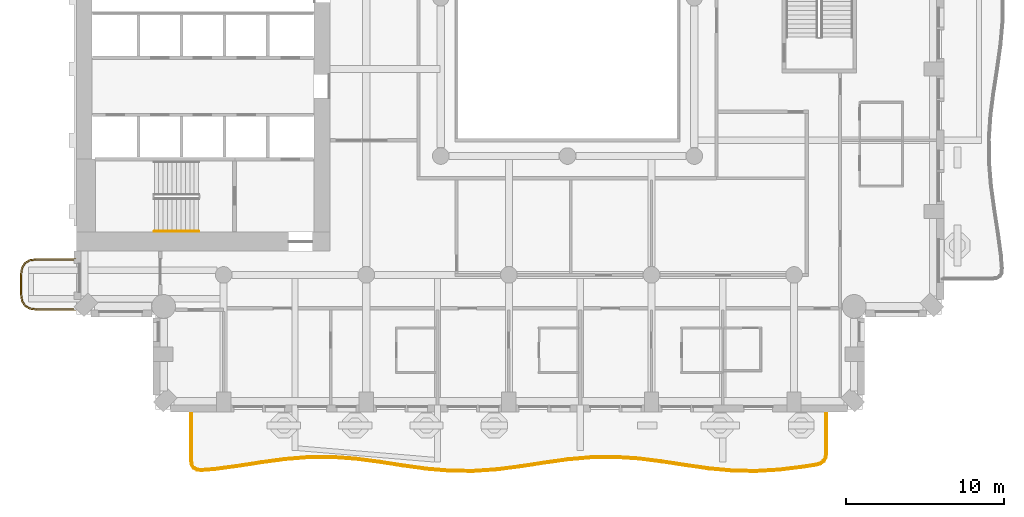
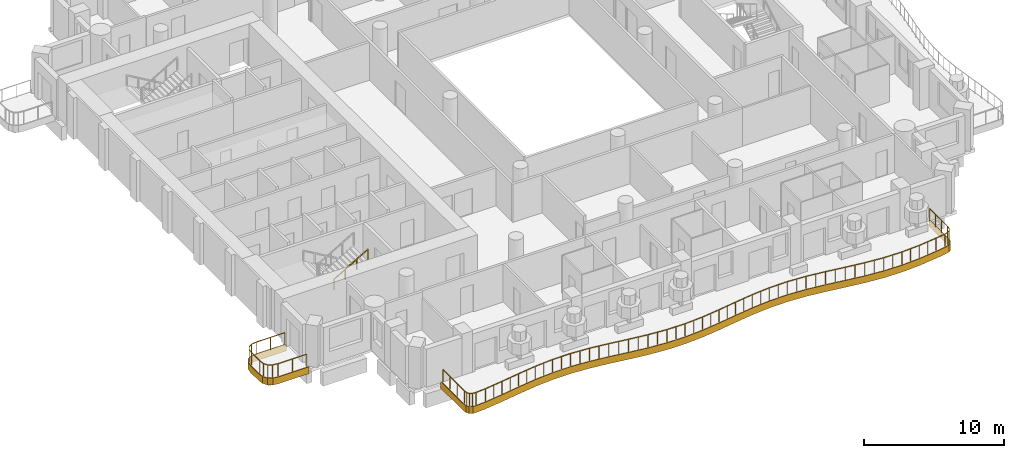
# One storey, part 12 of 19: 3 railings, 2 coverings.
"""IFC4 building model written with IfcOpenShell, lengths in metres."""

from ifc_helpers import new_model, si_unit, direction, frame, origin, origin_2d, place, context, subcontext, project, spatial, polyline, rectangle, outline, extrude, material, layer, layer_set, type_object, element, save


model = new_model("IFC4")

# Units and contexts
model_context = context("Model", 3, precision=1e-05, world=origin(), true_north=direction((0.0, 1.0)))
body_context = subcontext(model_context, "Body", "Model", "MODEL_VIEW")
ifc_project = project(units=[si_unit("LENGTHUNIT", "METRE"), si_unit("AREAUNIT", "SQUARE_METRE"), si_unit("VOLUMEUNIT", "CUBIC_METRE"), si_unit("PLANEANGLEUNIT", "RADIAN"), si_unit("MASSUNIT", "GRAM", prefix="KILO")], contexts=[model_context])

# Site, building, storey
site_placement = place(None, origin())
site = spatial("IfcSite", under=ifc_project, at=site_placement, CompositionType="ELEMENT")
building_placement = place(site_placement, origin())
building = spatial("IfcBuilding", under=site, at=building_placement, Name="Cypress Arch Tower", CompositionType="ELEMENT")
storey_placement = place(building_placement, frame((0.0, 0.0, 141.89990234375)))
storey = spatial("IfcBuildingStorey", under=building, at=storey_placement, Name="L31", CompositionType="ELEMENT", Elevation=141.89990234375)

# Coverings
ifc_material_1 = material(Name="White powder-coated aluminium fascia", Category="aluminium")
ifc_layer = layer(ifc_material_1, 0.050048828125)
ifc_layer_set = layer_set([ifc_layer], Name="Balcony fascia BF50")
covering_type = type_object("IfcCoveringType", Name="Balcony fascia BF50", PredefinedType="CLADDING", material=ifc_layer_set)
covering_1_placement = place(storey_placement, frame((0.0, 0.0, -0.599853515625)))
element("IfcCovering", 1, at=covering_1_placement, inside=storey, type_object=covering_type, Name="Balcony fascia L31-A00W1", PredefinedType="CLADDING", context=body_context, shape_type="SweptSolid", body=[
    extrude(outline(polyline([(-32.503662109375, -19.75), (-32.95458984375, -19.685546875), (-33.286376953125, -19.486328125), (-33.485595703125, -19.154541015625), (-33.550048828125, -18.70361328125), (-33.550048828125, -17.496337890625), (-33.485595703125, -17.04541015625), (-33.286376953125, -16.713623046875), (-32.95458984375, -16.514404296875), (-32.503662109375, -16.449951171875), (-30.0009765625, -16.449951171875), (-30.0009765625, -16.5), (-32.5, -16.5), (-32.9375, -16.5625), (-33.25, -16.75), (-33.4375, -17.0625), (-33.5, -17.5), (-33.5, -18.699951171875), (-33.4375, -19.137451171875), (-33.25, -19.449951171875), (-32.9375, -19.637451171875), (-32.5, -19.699951171875), (-30.0009765625, -19.699951171875), (-30.0009765625, -19.75), (-32.503662109375, -19.75)])), origin(), (0.0, 0.0, 1.0), 0.599853515625),
])
covering_2_placement = place(storey_placement, frame((0.0, 0.0, -0.599853515625)))
element("IfcCovering", 2, at=covering_2_placement, inside=storey, type_object=covering_type, Name="Balcony fascia L31-A03", PredefinedType="CLADDING", context=body_context, shape_type="SweptSolid", body=[
    extrude(outline(polyline([(17.39990234375, -28.722412109375), (17.3564453125, -29.037109375), (17.2216796875, -29.28515625), (16.9970703125, -29.4560546875), (16.692626953125, -29.546875), (15.87158203125, -29.67333984375), (14.38427734375, -29.8564453125), (12.8955078125, -29.94580078125), (11.406494140625, -29.917724609375), (9.918212890625, -29.77978515625), (8.431640625, -29.568115234375), (6.94677734375, -29.3388671875), (5.4638671875, -29.15185546875), (3.982177734375, -29.056396484375), (2.500732421875, -29.0771484375), (1.0185546875, -29.208984375), (-0.46484375, -29.4169921875), (-1.950439453125, -29.647216796875), (-3.437744140625, -29.838623046875), (-4.92626953125, -29.941162109375), (-6.415283203125, -29.92724609375), (-7.90380859375, -29.801025390625), (-9.390625, -29.595703125), (-10.875732421875, -29.365234375), (-12.35888671875, -29.170166015625), (-13.840576171875, -29.06201171875), (-15.322021484375, -29.068359375), (-16.803955078125, -29.188232421875), (-18.287353515625, -29.3896484375), (-19.7724609375, -29.620361328125), (-21.259521484375, -29.819580078125), (-22.081298828125, -29.883056640625), (-22.387939453125, -29.86279296875), (-22.6181640625, -29.7421875), (-22.756103515625, -29.52197265625), (-22.800048828125, -29.218017578125), (-22.800048828125, -26.0009765625), (-22.75, -26.0009765625), (-22.75, -29.21435546875), (-22.708251953125, -29.50439453125), (-22.5830078125, -29.7041015625), (-22.3740234375, -29.813720703125), (-22.081787109375, -29.8330078125), (-21.264892578125, -29.769775390625), (-19.779541015625, -29.571044921875), (-18.29443359375, -29.34033203125), (-16.809326171875, -29.138427734375), (-15.323974609375, -29.0185546875), (-13.8388671875, -29.011962890625), (-12.353759765625, -29.12060546875), (-10.868408203125, -29.315673828125), (-9.38330078125, -29.546142578125), (-7.898193359375, -29.751220703125), (-6.412841796875, -29.87744140625), (-4.927734375, -29.89111328125), (-3.442626953125, -29.788818359375), (-1.95751953125, -29.59765625), (-0.47216796875, -29.36767578125), (1.012939453125, -29.1591796875), (2.498046875, -29.02734375), (3.9833984375, -29.00634765625), (5.468505859375, -29.10205078125), (6.95361328125, -29.289306640625), (8.43896484375, -29.5185546875), (9.924072265625, -29.72998046875), (11.4091796875, -29.86767578125), (12.89453125, -29.895751953125), (14.379638671875, -29.806640625), (15.86474609375, -29.623779296875), (16.681640625, -29.498046875), (16.97412109375, -29.41064453125), (17.182861328125, -29.251708984375), (17.308349609375, -29.021240234375), (17.35009765625, -28.718994140625), (17.35009765625, -26.0009765625), (17.39990234375, -26.0009765625), (17.39990234375, -28.722412109375)])), origin(), (0.0, 0.0, 1.0), 0.599853515625),
])

# Railings
ifc_material_2 = material(Name="Powder-coated steel posts and rods, 100 mm clear between rods", Category="steel")
railing_type_1 = type_object("IfcRailingType", Name="Balcony guard GR1100", PredefinedType="GUARDRAIL", material=ifc_material_2)
railing_1_placement = place(storey_placement, frame((-30.14990234375, -19.64990234375, 0.0)))
element("IfcRailing", 3, at=railing_1_placement, inside=storey, type_object=railing_type_1, Name="Balcony guard L31-A00W1", PredefinedType="GUARDRAIL", context=body_context, shape_type="SweptSolid", body=[
    extrude(rectangle(XDim=0.050048828125, YDim=0.050048828125, at=origin_2d()), frame((0.0, 0.0, 1.0751953125), z_axis=(-1.0, 0.0, 0.0), x_axis=(0.0, -1.0, 0.0)), (0.0, 0.0, 1.0), 2.346435546875),
    extrude(rectangle(XDim=0.050048828125, YDim=0.050048828125, at=origin_2d()), frame((-2.346435546875, 0.0, 1.0751953125), z_axis=(-0.989960888959, 0.141341566184, 0.0), x_axis=(-0.141341566184, -0.989960888959, 0.0)), (0.0, 0.0, 1.0), 0.428466796875),
    extrude(rectangle(XDim=0.050048828125, YDim=0.050048828125, at=origin_2d()), frame((-2.7705078125, 0.060546875, 1.0751953125), z_axis=(-0.857681904839, 0.514180659021, 0.0), x_axis=(-0.514180659021, -0.857681904839, 0.0)), (0.0, 0.0, 1.0), 0.341796875),
    extrude(rectangle(XDim=0.050048828125, YDim=0.050048828125, at=origin_2d()), frame((-3.063720703125, 0.236328125, 1.0751953125), z_axis=(-0.514180659021, 0.857681904839, 0.0), x_axis=(-0.857681904839, -0.514180659021, 0.0)), (0.0, 0.0, 1.0), 0.341796875),
    extrude(rectangle(XDim=0.050048828125, YDim=0.050048828125, at=origin_2d()), frame((-3.239501953125, 0.529541015625, 1.0751953125), z_axis=(-0.141421356237, 0.989949493661, 0.0), x_axis=(-0.989949493661, -0.141421356237, 0.0)), (0.0, 0.0, 1.0), 0.42822265625),
    extrude(rectangle(XDim=0.050048828125, YDim=0.050048828125, at=origin_2d()), frame((-3.300048828125, 0.953369140625, 1.0751953125), z_axis=(0.0, 1.0, 0.0), x_axis=(-1.0, 0.0, 0.0)), (0.0, 0.0, 1.0), 1.19287109375),
    extrude(rectangle(XDim=0.050048828125, YDim=0.050048828125, at=origin_2d()), frame((-3.300048828125, 2.146240234375, 1.0751953125), z_axis=(0.141341566184, 0.989960888959, 0.0), x_axis=(-0.989960888959, 0.141341566184, 0.0)), (0.0, 0.0, 1.0), 0.428466796875),
    extrude(rectangle(XDim=0.050048828125, YDim=0.050048828125, at=origin_2d()), frame((-3.239501953125, 2.5703125, 1.0751953125), z_axis=(0.514180659021, 0.857681904839, 0.0), x_axis=(-0.857681904839, 0.514180659021, 0.0)), (0.0, 0.0, 1.0), 0.341796875),
    extrude(rectangle(XDim=0.050048828125, YDim=0.050048828125, at=origin_2d()), frame((-3.063720703125, 2.863525390625, 1.0751953125), z_axis=(0.857681904839, 0.514180659021, 0.0), x_axis=(-0.514180659021, 0.857681904839, 0.0)), (0.0, 0.0, 1.0), 0.341796875),
    extrude(rectangle(XDim=0.050048828125, YDim=0.050048828125, at=origin_2d()), frame((-2.7705078125, 3.039306640625, 1.0751953125), z_axis=(0.989960888959, 0.141341566184, 0.0), x_axis=(-0.141341566184, 0.989960888959, 0.0)), (0.0, 0.0, 1.0), 0.428466796875),
    extrude(rectangle(XDim=0.050048828125, YDim=0.050048828125, at=origin_2d()), frame((-2.346435546875, 3.099853515625, 1.0751953125), z_axis=(1.0, 0.0, 0.0), x_axis=(0.0, 1.0, 0.0)), (0.0, 0.0, 1.0), 2.346435546875),
    extrude(rectangle(XDim=0.0400390625, YDim=0.0400390625, at=origin_2d()), origin(), (0.0, 0.0, 1.0), 1.050048828125),
    extrude(rectangle(XDim=0.0400390625, YDim=0.0400390625, at=origin_2d()), frame((-1.17333984375, 0.0, 0.0)), (0.0, 0.0, 1.0), 1.050048828125),
    extrude(rectangle(XDim=0.0400390625, YDim=0.0400390625, at=origin_2d()), frame((-2.346435546875, 0.0, 0.0)), (0.0, 0.0, 1.0), 1.050048828125),
    extrude(rectangle(XDim=0.0400390625, YDim=0.0400390625, at=origin_2d()), frame((-2.7705078125, 0.060546875, 0.0)), (0.0, 0.0, 1.0), 1.050048828125),
    extrude(rectangle(XDim=0.0400390625, YDim=0.0400390625, at=origin_2d()), frame((-3.063720703125, 0.236328125, 0.0)), (0.0, 0.0, 1.0), 1.050048828125),
    extrude(rectangle(XDim=0.0400390625, YDim=0.0400390625, at=origin_2d()), frame((-3.239501953125, 0.529541015625, 0.0)), (0.0, 0.0, 1.0), 1.050048828125),
    extrude(rectangle(XDim=0.0400390625, YDim=0.0400390625, at=origin_2d()), frame((-3.300048828125, 0.953369140625, 0.0)), (0.0, 0.0, 1.0), 1.050048828125),
    extrude(rectangle(XDim=0.0400390625, YDim=0.0400390625, at=origin_2d()), frame((-3.300048828125, 2.146240234375, 0.0)), (0.0, 0.0, 1.0), 1.050048828125),
    extrude(rectangle(XDim=0.0400390625, YDim=0.0400390625, at=origin_2d()), frame((-3.239501953125, 2.5703125, 0.0)), (0.0, 0.0, 1.0), 1.050048828125),
    extrude(rectangle(XDim=0.0400390625, YDim=0.0400390625, at=origin_2d()), frame((-3.063720703125, 2.863525390625, 0.0)), (0.0, 0.0, 1.0), 1.050048828125),
    extrude(rectangle(XDim=0.0400390625, YDim=0.0400390625, at=origin_2d()), frame((-2.7705078125, 3.039306640625, 0.0)), (0.0, 0.0, 1.0), 1.050048828125),
    extrude(rectangle(XDim=0.0400390625, YDim=0.0400390625, at=origin_2d()), frame((-2.346435546875, 3.099853515625, 0.0)), (0.0, 0.0, 1.0), 1.050048828125),
    extrude(rectangle(XDim=0.0400390625, YDim=0.0400390625, at=origin_2d()), frame((-1.17333984375, 3.099853515625, 0.0)), (0.0, 0.0, 1.0), 1.050048828125),
    extrude(rectangle(XDim=0.0400390625, YDim=0.0400390625, at=origin_2d()), frame((0.0, 3.099853515625, 0.0)), (0.0, 0.0, 1.0), 1.050048828125),
])
railing_2_placement = place(storey_placement, frame((17.300048828125, -26.14990234375, 0.0)))
element("IfcRailing", 4, at=railing_2_placement, inside=storey, type_object=railing_type_1, Name="Balcony guard L31-A03", PredefinedType="GUARDRAIL", context=body_context, shape_type="SweptSolid", body=[
    extrude(rectangle(XDim=0.050048828125, YDim=0.050048828125, at=origin_2d()), frame((0.0, 0.0, 1.0751953125), z_axis=(0.0, -1.0, 0.0), x_axis=(1.0, 0.0, 0.0)), (0.0, 0.0, 1.0), 2.565673828125),
    extrude(rectangle(XDim=0.050048828125, YDim=0.050048828125, at=origin_2d()), frame((0.0, -2.565673828125, 1.0751953125), z_axis=(-0.136863311336, -0.990589942413, 0.0), x_axis=(0.990589942413, -0.136863311336, 0.0)), (0.0, 0.0, 1.0), 0.29248046875),
    extrude(rectangle(XDim=0.050048828125, YDim=0.050048828125, at=origin_2d()), frame((-0.0400390625, -2.85546875, 1.0751953125), z_axis=(-0.477935412983, -0.878394980072, 0.0), x_axis=(0.878394980072, -0.477935412983, 0.0)), (0.0, 0.0, 1.0), 0.24267578125),
    extrude(rectangle(XDim=0.050048828125, YDim=0.050048828125, at=origin_2d()), frame((-0.156005859375, -3.068603515625, 1.0751953125), z_axis=(-0.795754916062, -0.605618785676, 0.0), x_axis=(0.605618785676, -0.795754916062, 0.0)), (0.0, 0.0, 1.0), 0.24267578125),
    extrude(rectangle(XDim=0.050048828125, YDim=0.050048828125, at=origin_2d()), frame((-0.34912109375, -3.215576171875, 1.0751953125), z_axis=(-0.958147283217, -0.286275712668, 0.0), x_axis=(0.286275712668, -0.958147283217, 0.0)), (0.0, 0.0, 1.0), 0.29248046875),
    extrude(rectangle(XDim=0.050048828125, YDim=0.050048828125, at=origin_2d()), frame((-0.62939453125, -3.29931640625, 1.0751953125), z_axis=(-0.988378561373, -0.152012563359, 0.0), x_axis=(0.152012563359, -0.988378561373, 0.0)), (0.0, 0.0, 1.0), 0.822265625),
    extrude(rectangle(XDim=0.050048828125, YDim=0.050048828125, at=origin_2d()), frame((-1.442138671875, -3.42431640625, 1.0751953125), z_axis=(-0.992502474567, -0.12222453918, 0.0), x_axis=(0.12222453918, -0.992502474567, 0.0)), (0.0, 0.0, 1.0), 1.494140625),
    extrude(rectangle(XDim=0.050048828125, YDim=0.050048828125, at=origin_2d()), frame((-2.925048828125, -3.60693359375, 1.0751953125), z_axis=(-0.998206221846, -0.059869346639, 0.0), x_axis=(0.059869346639, -0.998206221846, 0.0)), (0.0, 0.0, 1.0), 1.484375),
    extrude(rectangle(XDim=0.050048828125, YDim=0.050048828125, at=origin_2d()), frame((-4.40673828125, -3.69580078125, 1.0751953125), z_axis=(-0.999823511369, 0.018786860111, 0.0), x_axis=(-0.018786860111, -0.999823511369, 0.0)), (0.0, 0.0, 1.0), 1.4814453125),
    extrude(rectangle(XDim=0.050048828125, YDim=0.050048828125, at=origin_2d()), frame((-5.887939453125, -3.66796875, 1.0751953125), z_axis=(-0.99572755851, 0.092339748878, 0.0), x_axis=(-0.092339748878, -0.99572755851, 0.0)), (0.0, 0.0, 1.0), 1.488525390625),
    extrude(rectangle(XDim=0.050048828125, YDim=0.050048828125, at=origin_2d()), frame((-7.3701171875, -3.530517578125, 1.0751953125), z_axis=(-0.990021048125, 0.140919566666, 0.0), x_axis=(-0.140919566666, -0.990021048125, 0.0)), (0.0, 0.0, 1.0), 1.49853515625),
    extrude(rectangle(XDim=0.050048828125, YDim=0.050048828125, at=origin_2d()), frame((-8.853759765625, -3.3193359375, 1.0751953125), z_axis=(-0.98827762945, 0.152667374147, 0.0), x_axis=(-0.152667374147, -0.98827762945, 0.0)), (0.0, 0.0, 1.0), 1.503173828125),
    extrude(rectangle(XDim=0.050048828125, YDim=0.050048828125, at=origin_2d()), frame((-10.33935546875, -3.08984375, 1.0751953125), z_axis=(-0.992149587983, 0.125056767368, 0.0), x_axis=(-0.125056767368, -0.992149587983, 0.0)), (0.0, 0.0, 1.0), 1.499267578125),
    extrude(rectangle(XDim=0.050048828125, YDim=0.050048828125, at=origin_2d()), frame((-11.826904296875, -2.90234375, 1.0751953125), z_axis=(-0.997929038753, 0.064324440254, 0.0), x_axis=(-0.064324440254, -0.997929038753, 0.0)), (0.0, 0.0, 1.0), 1.49169921875),
    extrude(rectangle(XDim=0.050048828125, YDim=0.050048828125, at=origin_2d()), frame((-13.3154296875, -2.806396484375, 1.0751953125), z_axis=(-0.999900600344, -0.014099270639, 0.0), x_axis=(0.014099270639, -0.999900600344, 0.0)), (0.0, 0.0, 1.0), 1.4892578125),
    extrude(rectangle(XDim=0.050048828125, YDim=0.050048828125, at=origin_2d()), frame((-14.804443359375, -2.827392578125, 1.0751953125), z_axis=(-0.996070719077, -0.088561405797, 0.0), x_axis=(0.088561405797, -0.996070719077, 0.0)), (0.0, 0.0, 1.0), 1.494140625),
    extrude(rectangle(XDim=0.050048828125, YDim=0.050048828125, at=origin_2d()), frame((-16.292724609375, -2.959716796875, 1.0751953125), z_axis=(-0.990310462127, -0.138871122275, 0.0), x_axis=(0.138871122275, -0.990310462127, 0.0)), (0.0, 0.0, 1.0), 1.50146484375),
    extrude(rectangle(XDim=0.050048828125, YDim=0.050048828125, at=origin_2d()), frame((-17.779541015625, -3.168212890625, 1.0751953125), z_axis=(-0.988217161128, -0.153058297564, 0.0), x_axis=(0.153058297564, -0.988217161128, 0.0)), (0.0, 0.0, 1.0), 1.502685546875),
    extrude(rectangle(XDim=0.050048828125, YDim=0.050048828125, at=origin_2d()), frame((-19.264404296875, -3.398193359375, 1.0751953125), z_axis=(-0.991816589579, -0.127670876222, 0.0), x_axis=(0.127670876222, -0.991816589579, 0.0)), (0.0, 0.0, 1.0), 1.495361328125),
    extrude(rectangle(XDim=0.050048828125, YDim=0.050048828125, at=origin_2d()), frame((-20.74755859375, -3.589111328125, 1.0751953125), z_axis=(-0.99763654947, -0.068711826937, 0.0), x_axis=(0.068711826937, -0.99763654947, 0.0)), (0.0, 0.0, 1.0), 1.485107421875),
    extrude(rectangle(XDim=0.050048828125, YDim=0.050048828125, at=origin_2d()), frame((-22.229248046875, -3.691162109375, 1.0751953125), z_axis=(-0.99995741789, 0.009228347957, 0.0), x_axis=(-0.009228347957, -0.99995741789, 0.0)), (0.0, 0.0, 1.0), 1.4814453125),
    extrude(rectangle(XDim=0.050048828125, YDim=0.050048828125, at=origin_2d()), frame((-23.710693359375, -3.677490234375, 1.0751953125), z_axis=(-0.996420106509, 0.08453976192, 0.0), x_axis=(-0.08453976192, -0.996420106509, 0.0)), (0.0, 0.0, 1.0), 1.4873046875),
    extrude(rectangle(XDim=0.050048828125, YDim=0.050048828125, at=origin_2d()), frame((-25.192626953125, -3.5517578125, 1.0751953125), z_axis=(-0.990578468442, 0.136946332043, 0.0), x_axis=(-0.136946332043, -0.990578468442, 0.0)), (0.0, 0.0, 1.0), 1.49755859375),
    extrude(rectangle(XDim=0.050048828125, YDim=0.050048828125, at=origin_2d()), frame((-26.676025390625, -3.3466796875, 1.0751953125), z_axis=(-0.988175600597, 0.153326391677, 0.0), x_axis=(-0.153326391677, -0.988175600597, 0.0)), (0.0, 0.0, 1.0), 1.503173828125),
    extrude(rectangle(XDim=0.050048828125, YDim=0.050048828125, at=origin_2d()), frame((-28.161376953125, -3.1162109375, 1.0751953125), z_axis=(-0.991487500745, 0.130201904234, 0.0), x_axis=(-0.130201904234, -0.991487500745, 0.0)), (0.0, 0.0, 1.0), 1.5),
    extrude(rectangle(XDim=0.050048828125, YDim=0.050048828125, at=origin_2d()), frame((-29.648681640625, -2.9208984375, 1.0751953125), z_axis=(-0.99733517527, 0.072955795993, 0.0), x_axis=(-0.072955795993, -0.99733517527, 0.0)), (0.0, 0.0, 1.0), 1.492431640625),
    extrude(rectangle(XDim=0.050048828125, YDim=0.050048828125, at=origin_2d()), frame((-31.13720703125, -2.81201171875, 1.0751953125), z_axis=(-0.999990201178, -0.00442691186, 0.0), x_axis=(0.00442691186, -0.999990201178, 0.0)), (0.0, 0.0, 1.0), 1.489013671875),
    extrude(rectangle(XDim=0.050048828125, YDim=0.050048828125, at=origin_2d()), frame((-32.626220703125, -2.818603515625, 1.0751953125), z_axis=(-0.996759939567, -0.080433965929, 0.0), x_axis=(0.080433965929, -0.996759939567, 0.0)), (0.0, 0.0, 1.0), 1.493408203125),
    extrude(rectangle(XDim=0.050048828125, YDim=0.050048828125, at=origin_2d()), frame((-34.11474609375, -2.938720703125, 1.0751953125), z_axis=(-0.99088650832, -0.134699397289, 0.0), x_axis=(0.134699397289, -0.99088650832, 0.0)), (0.0, 0.0, 1.0), 1.500732421875),
    extrude(rectangle(XDim=0.050048828125, YDim=0.050048828125, at=origin_2d()), frame((-35.601806640625, -3.140869140625, 1.0751953125), z_axis=(-0.988147152264, -0.153509626646, 0.0), x_axis=(0.153509626646, -0.988147152264, 0.0)), (0.0, 0.0, 1.0), 1.5029296875),
    extrude(rectangle(XDim=0.050048828125, YDim=0.050048828125, at=origin_2d()), frame((-37.0869140625, -3.37158203125, 1.0751953125), z_axis=(-0.991142199329, -0.132804897161, 0.0), x_axis=(0.132804897161, -0.991142199329, 0.0)), (0.0, 0.0, 1.0), 1.496337890625),
    extrude(rectangle(XDim=0.050048828125, YDim=0.050048828125, at=origin_2d()), frame((-38.570068359375, -3.5703125, 1.0751953125), z_axis=(-0.997027976103, -0.077040345718, 0.0), x_axis=(0.077040345718, -0.997027976103, 0.0)), (0.0, 0.0, 1.0), 0.814453125),
    extrude(rectangle(XDim=0.050048828125, YDim=0.050048828125, at=origin_2d()), frame((-39.382080078125, -3.633056640625, 1.0751953125), z_axis=(-0.997781279989, 0.066577153011, 0.0), x_axis=(-0.066577153011, -0.997781279989, 0.0)), (0.0, 0.0, 1.0), 0.27880859375),
    extrude(rectangle(XDim=0.050048828125, YDim=0.050048828125, at=origin_2d()), frame((-39.66015625, -3.614501953125, 1.0751953125), z_axis=(-0.886214690875, 0.463274779885, 0.0), x_axis=(-0.463274779885, -0.886214690875, 0.0)), (0.0, 0.0, 1.0), 0.2119140625),
    extrude(rectangle(XDim=0.050048828125, YDim=0.050048828125, at=origin_2d()), frame((-39.847900390625, -3.516357421875, 1.0751953125), z_axis=(-0.530517177268, 0.847674185418, 0.0), x_axis=(-0.847674185418, -0.530517177268, 0.0)), (0.0, 0.0, 1.0), 0.211669921875),
    extrude(rectangle(XDim=0.050048828125, YDim=0.050048828125, at=origin_2d()), frame((-39.960205078125, -3.3369140625, 1.0751953125), z_axis=(-0.142646432008, 0.989773709206, 0.0), x_axis=(-0.989773709206, -0.142646432008, 0.0)), (0.0, 0.0, 1.0), 0.279052734375),
    extrude(rectangle(XDim=0.050048828125, YDim=0.050048828125, at=origin_2d()), frame((-40.0, -3.060791015625, 1.0751953125), z_axis=(0.0, 1.0, 0.0), x_axis=(-1.0, 0.0, 0.0)), (0.0, 0.0, 1.0), 3.060791015625),
    extrude(rectangle(XDim=0.0400390625, YDim=0.0400390625, at=origin_2d()), origin(), (0.0, 0.0, 1.0), 1.050048828125),
    extrude(rectangle(XDim=0.0400390625, YDim=0.0400390625, at=origin_2d()), frame((0.0, -0.855224609375, 0.0)), (0.0, 0.0, 1.0), 1.050048828125),
    extrude(rectangle(XDim=0.0400390625, YDim=0.0400390625, at=origin_2d()), frame((0.0, -1.71044921875, 0.0)), (0.0, 0.0, 1.0), 1.050048828125),
    extrude(rectangle(XDim=0.0400390625, YDim=0.0400390625, at=origin_2d()), frame((0.0, -2.565673828125, 0.0)), (0.0, 0.0, 1.0), 1.050048828125),
    extrude(rectangle(XDim=0.0400390625, YDim=0.0400390625, at=origin_2d()), frame((-0.0400390625, -2.85546875, 0.0)), (0.0, 0.0, 1.0), 1.050048828125),
    extrude(rectangle(XDim=0.0400390625, YDim=0.0400390625, at=origin_2d()), frame((-0.156005859375, -3.068603515625, 0.0)), (0.0, 0.0, 1.0), 1.050048828125),
    extrude(rectangle(XDim=0.0400390625, YDim=0.0400390625, at=origin_2d()), frame((-0.34912109375, -3.215576171875, 0.0)), (0.0, 0.0, 1.0), 1.050048828125),
    extrude(rectangle(XDim=0.0400390625, YDim=0.0400390625, at=origin_2d()), frame((-0.62939453125, -3.29931640625, 0.0)), (0.0, 0.0, 1.0), 1.050048828125),
    extrude(rectangle(XDim=0.0400390625, YDim=0.0400390625, at=origin_2d()), frame((-1.442138671875, -3.42431640625, 0.0)), (0.0, 0.0, 1.0), 1.050048828125),
    extrude(rectangle(XDim=0.0400390625, YDim=0.0400390625, at=origin_2d()), frame((-2.18359375, -3.515625, 0.0)), (0.0, 0.0, 1.0), 1.050048828125),
    extrude(rectangle(XDim=0.0400390625, YDim=0.0400390625, at=origin_2d()), frame((-2.925048828125, -3.60693359375, 0.0)), (0.0, 0.0, 1.0), 1.050048828125),
    extrude(rectangle(XDim=0.0400390625, YDim=0.0400390625, at=origin_2d()), frame((-3.666015625, -3.6513671875, 0.0)), (0.0, 0.0, 1.0), 1.050048828125),
    extrude(rectangle(XDim=0.0400390625, YDim=0.0400390625, at=origin_2d()), frame((-4.40673828125, -3.69580078125, 0.0)), (0.0, 0.0, 1.0), 1.050048828125),
    extrude(rectangle(XDim=0.0400390625, YDim=0.0400390625, at=origin_2d()), frame((-5.1474609375, -3.681884765625, 0.0)), (0.0, 0.0, 1.0), 1.050048828125),
    extrude(rectangle(XDim=0.0400390625, YDim=0.0400390625, at=origin_2d()), frame((-5.887939453125, -3.66796875, 0.0)), (0.0, 0.0, 1.0), 1.050048828125),
    extrude(rectangle(XDim=0.0400390625, YDim=0.0400390625, at=origin_2d()), frame((-6.62890625, -3.59912109375, 0.0)), (0.0, 0.0, 1.0), 1.050048828125),
    extrude(rectangle(XDim=0.0400390625, YDim=0.0400390625, at=origin_2d()), frame((-7.3701171875, -3.530517578125, 0.0)), (0.0, 0.0, 1.0), 1.050048828125),
    extrude(rectangle(XDim=0.0400390625, YDim=0.0400390625, at=origin_2d()), frame((-8.11181640625, -3.4248046875, 0.0)), (0.0, 0.0, 1.0), 1.050048828125),
    extrude(rectangle(XDim=0.0400390625, YDim=0.0400390625, at=origin_2d()), frame((-8.853759765625, -3.3193359375, 0.0)), (0.0, 0.0, 1.0), 1.050048828125),
    extrude(rectangle(XDim=0.0400390625, YDim=0.0400390625, at=origin_2d()), frame((-9.5966796875, -3.20458984375, 0.0)), (0.0, 0.0, 1.0), 1.050048828125),
    extrude(rectangle(XDim=0.0400390625, YDim=0.0400390625, at=origin_2d()), frame((-10.33935546875, -3.08984375, 0.0)), (0.0, 0.0, 1.0), 1.050048828125),
    extrude(rectangle(XDim=0.0400390625, YDim=0.0400390625, at=origin_2d()), frame((-11.0830078125, -2.99609375, 0.0)), (0.0, 0.0, 1.0), 1.050048828125),
    extrude(rectangle(XDim=0.0400390625, YDim=0.0400390625, at=origin_2d()), frame((-11.826904296875, -2.90234375, 0.0)), (0.0, 0.0, 1.0), 1.050048828125),
    extrude(rectangle(XDim=0.0400390625, YDim=0.0400390625, at=origin_2d()), frame((-12.5712890625, -2.8544921875, 0.0)), (0.0, 0.0, 1.0), 1.050048828125),
    extrude(rectangle(XDim=0.0400390625, YDim=0.0400390625, at=origin_2d()), frame((-13.3154296875, -2.806396484375, 0.0)), (0.0, 0.0, 1.0), 1.050048828125),
    extrude(rectangle(XDim=0.0400390625, YDim=0.0400390625, at=origin_2d()), frame((-14.06005859375, -2.81689453125, 0.0)), (0.0, 0.0, 1.0), 1.050048828125),
    extrude(rectangle(XDim=0.0400390625, YDim=0.0400390625, at=origin_2d()), frame((-14.804443359375, -2.827392578125, 0.0)), (0.0, 0.0, 1.0), 1.050048828125),
    extrude(rectangle(XDim=0.0400390625, YDim=0.0400390625, at=origin_2d()), frame((-15.548583984375, -2.8935546875, 0.0)), (0.0, 0.0, 1.0), 1.050048828125),
    extrude(rectangle(XDim=0.0400390625, YDim=0.0400390625, at=origin_2d()), frame((-16.292724609375, -2.959716796875, 0.0)), (0.0, 0.0, 1.0), 1.050048828125),
    extrude(rectangle(XDim=0.0400390625, YDim=0.0400390625, at=origin_2d()), frame((-17.0361328125, -3.06396484375, 0.0)), (0.0, 0.0, 1.0), 1.050048828125),
    extrude(rectangle(XDim=0.0400390625, YDim=0.0400390625, at=origin_2d()), frame((-17.779541015625, -3.168212890625, 0.0)), (0.0, 0.0, 1.0), 1.050048828125),
    extrude(rectangle(XDim=0.0400390625, YDim=0.0400390625, at=origin_2d()), frame((-18.52197265625, -3.283203125, 0.0)), (0.0, 0.0, 1.0), 1.050048828125),
    extrude(rectangle(XDim=0.0400390625, YDim=0.0400390625, at=origin_2d()), frame((-19.264404296875, -3.398193359375, 0.0)), (0.0, 0.0, 1.0), 1.050048828125),
    extrude(rectangle(XDim=0.0400390625, YDim=0.0400390625, at=origin_2d()), frame((-20.005859375, -3.49365234375, 0.0)), (0.0, 0.0, 1.0), 1.050048828125),
    extrude(rectangle(XDim=0.0400390625, YDim=0.0400390625, at=origin_2d()), frame((-20.74755859375, -3.589111328125, 0.0)), (0.0, 0.0, 1.0), 1.050048828125),
    extrude(rectangle(XDim=0.0400390625, YDim=0.0400390625, at=origin_2d()), frame((-21.48828125, -3.64013671875, 0.0)), (0.0, 0.0, 1.0), 1.050048828125),
    extrude(rectangle(XDim=0.0400390625, YDim=0.0400390625, at=origin_2d()), frame((-22.229248046875, -3.691162109375, 0.0)), (0.0, 0.0, 1.0), 1.050048828125),
    extrude(rectangle(XDim=0.0400390625, YDim=0.0400390625, at=origin_2d()), frame((-22.969970703125, -3.684326171875, 0.0)), (0.0, 0.0, 1.0), 1.050048828125),
    extrude(rectangle(XDim=0.0400390625, YDim=0.0400390625, at=origin_2d()), frame((-23.710693359375, -3.677490234375, 0.0)), (0.0, 0.0, 1.0), 1.050048828125),
    extrude(rectangle(XDim=0.0400390625, YDim=0.0400390625, at=origin_2d()), frame((-24.45166015625, -3.61474609375, 0.0)), (0.0, 0.0, 1.0), 1.050048828125),
    extrude(rectangle(XDim=0.0400390625, YDim=0.0400390625, at=origin_2d()), frame((-25.192626953125, -3.5517578125, 0.0)), (0.0, 0.0, 1.0), 1.050048828125),
    extrude(rectangle(XDim=0.0400390625, YDim=0.0400390625, at=origin_2d()), frame((-25.934326171875, -3.44921875, 0.0)), (0.0, 0.0, 1.0), 1.050048828125),
    extrude(rectangle(XDim=0.0400390625, YDim=0.0400390625, at=origin_2d()), frame((-26.676025390625, -3.3466796875, 0.0)), (0.0, 0.0, 1.0), 1.050048828125),
    extrude(rectangle(XDim=0.0400390625, YDim=0.0400390625, at=origin_2d()), frame((-27.418701171875, -3.2314453125, 0.0)), (0.0, 0.0, 1.0), 1.050048828125),
    extrude(rectangle(XDim=0.0400390625, YDim=0.0400390625, at=origin_2d()), frame((-28.161376953125, -3.1162109375, 0.0)), (0.0, 0.0, 1.0), 1.050048828125),
    extrude(rectangle(XDim=0.0400390625, YDim=0.0400390625, at=origin_2d()), frame((-28.905029296875, -3.0185546875, 0.0)), (0.0, 0.0, 1.0), 1.050048828125),
    extrude(rectangle(XDim=0.0400390625, YDim=0.0400390625, at=origin_2d()), frame((-29.648681640625, -2.9208984375, 0.0)), (0.0, 0.0, 1.0), 1.050048828125),
    extrude(rectangle(XDim=0.0400390625, YDim=0.0400390625, at=origin_2d()), frame((-30.39306640625, -2.866455078125, 0.0)), (0.0, 0.0, 1.0), 1.050048828125),
    extrude(rectangle(XDim=0.0400390625, YDim=0.0400390625, at=origin_2d()), frame((-31.13720703125, -2.81201171875, 0.0)), (0.0, 0.0, 1.0), 1.050048828125),
    extrude(rectangle(XDim=0.0400390625, YDim=0.0400390625, at=origin_2d()), frame((-31.8818359375, -2.8154296875, 0.0)), (0.0, 0.0, 1.0), 1.050048828125),
    extrude(rectangle(XDim=0.0400390625, YDim=0.0400390625, at=origin_2d()), frame((-32.626220703125, -2.818603515625, 0.0)), (0.0, 0.0, 1.0), 1.050048828125),
    extrude(rectangle(XDim=0.0400390625, YDim=0.0400390625, at=origin_2d()), frame((-33.37060546875, -2.878662109375, 0.0)), (0.0, 0.0, 1.0), 1.050048828125),
    extrude(rectangle(XDim=0.0400390625, YDim=0.0400390625, at=origin_2d()), frame((-34.11474609375, -2.938720703125, 0.0)), (0.0, 0.0, 1.0), 1.050048828125),
    extrude(rectangle(XDim=0.0400390625, YDim=0.0400390625, at=origin_2d()), frame((-34.8583984375, -3.039794921875, 0.0)), (0.0, 0.0, 1.0), 1.050048828125),
    extrude(rectangle(XDim=0.0400390625, YDim=0.0400390625, at=origin_2d()), frame((-35.601806640625, -3.140869140625, 0.0)), (0.0, 0.0, 1.0), 1.050048828125),
    extrude(rectangle(XDim=0.0400390625, YDim=0.0400390625, at=origin_2d()), frame((-36.34423828125, -3.25634765625, 0.0)), (0.0, 0.0, 1.0), 1.050048828125),
    extrude(rectangle(XDim=0.0400390625, YDim=0.0400390625, at=origin_2d()), frame((-37.0869140625, -3.37158203125, 0.0)), (0.0, 0.0, 1.0), 1.050048828125),
    extrude(rectangle(XDim=0.0400390625, YDim=0.0400390625, at=origin_2d()), frame((-37.82861328125, -3.470947265625, 0.0)), (0.0, 0.0, 1.0), 1.050048828125),
    extrude(rectangle(XDim=0.0400390625, YDim=0.0400390625, at=origin_2d()), frame((-38.570068359375, -3.5703125, 0.0)), (0.0, 0.0, 1.0), 1.050048828125),
    extrude(rectangle(XDim=0.0400390625, YDim=0.0400390625, at=origin_2d()), frame((-39.382080078125, -3.633056640625, 0.0)), (0.0, 0.0, 1.0), 1.050048828125),
    extrude(rectangle(XDim=0.0400390625, YDim=0.0400390625, at=origin_2d()), frame((-39.66015625, -3.614501953125, 0.0)), (0.0, 0.0, 1.0), 1.050048828125),
    extrude(rectangle(XDim=0.0400390625, YDim=0.0400390625, at=origin_2d()), frame((-39.847900390625, -3.516357421875, 0.0)), (0.0, 0.0, 1.0), 1.050048828125),
    extrude(rectangle(XDim=0.0400390625, YDim=0.0400390625, at=origin_2d()), frame((-39.960205078125, -3.3369140625, 0.0)), (0.0, 0.0, 1.0), 1.050048828125),
    extrude(rectangle(XDim=0.0400390625, YDim=0.0400390625, at=origin_2d()), frame((-40.0, -3.060791015625, 0.0)), (0.0, 0.0, 1.0), 1.050048828125),
    extrude(rectangle(XDim=0.0400390625, YDim=0.0400390625, at=origin_2d()), frame((-40.0, -2.04052734375, 0.0)), (0.0, 0.0, 1.0), 1.050048828125),
    extrude(rectangle(XDim=0.0400390625, YDim=0.0400390625, at=origin_2d()), frame((-40.0, -1.020263671875, 0.0)), (0.0, 0.0, 1.0), 1.050048828125),
    extrude(rectangle(XDim=0.0400390625, YDim=0.0400390625, at=origin_2d()), frame((-40.0, 0.0, 0.0)), (0.0, 0.0, 1.0), 1.050048828125),
])
ifc_material_3 = material(Name="Black powder-coated steel square bar 48 mm", Category="steel")
railing_type_2 = type_object("IfcRailingType", Name="Stair handrail HR1", PredefinedType="HANDRAIL", material=ifc_material_3)
railing_3_placement = place(storey_placement, frame((-25.074951171875, -14.75, 1.963623046875)))
element("IfcRailing", 5, at=railing_3_placement, inside=storey, type_object=railing_type_2, Name="L31 A stair handrail 2", PredefinedType="HANDRAIL", context=body_context, shape_type="SweptSolid", body=[
    extrude(rectangle(XDim=0.048095703125, YDim=0.048095703125, at=origin_2d()), frame((0.0, 0.0, 0.8759765625), z_axis=(0.863360870873, 0.0, 0.504586966384), x_axis=(0.0, 1.0, 0.0)), (0.0, 0.0, 1.0), 3.2431640625),
    extrude(rectangle(XDim=0.0419921875, YDim=0.0419921875, at=origin_2d()), origin(), (0.0, 0.0, 1.0), 0.851806640625),
    extrude(rectangle(XDim=0.0419921875, YDim=0.0419921875, at=origin_2d()), frame((0.933349609375, 0.0, 0.54541015625)), (0.0, 0.0, 1.0), 0.851806640625),
    extrude(rectangle(XDim=0.0419921875, YDim=0.0419921875, at=origin_2d()), frame((1.86669921875, 0.0, 1.091064453125)), (0.0, 0.0, 1.0), 0.851806640625),
    extrude(rectangle(XDim=0.0419921875, YDim=0.0419921875, at=origin_2d()), frame((2.800048828125, 0.0, 1.636474609375)), (0.0, 0.0, 1.0), 0.851806640625),
])

save(model, "model.ifc")
